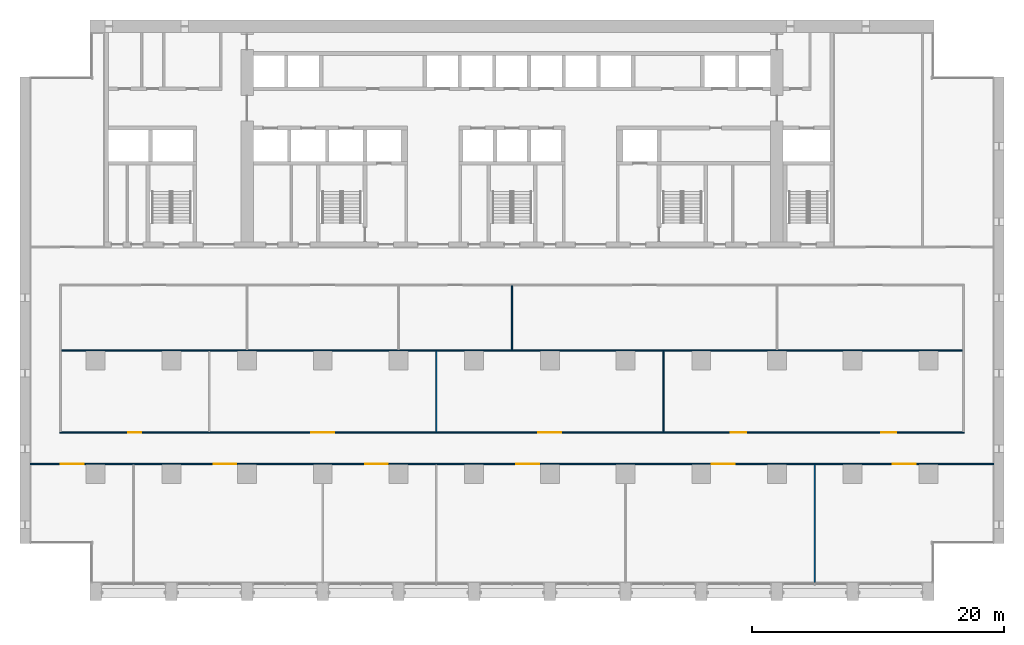
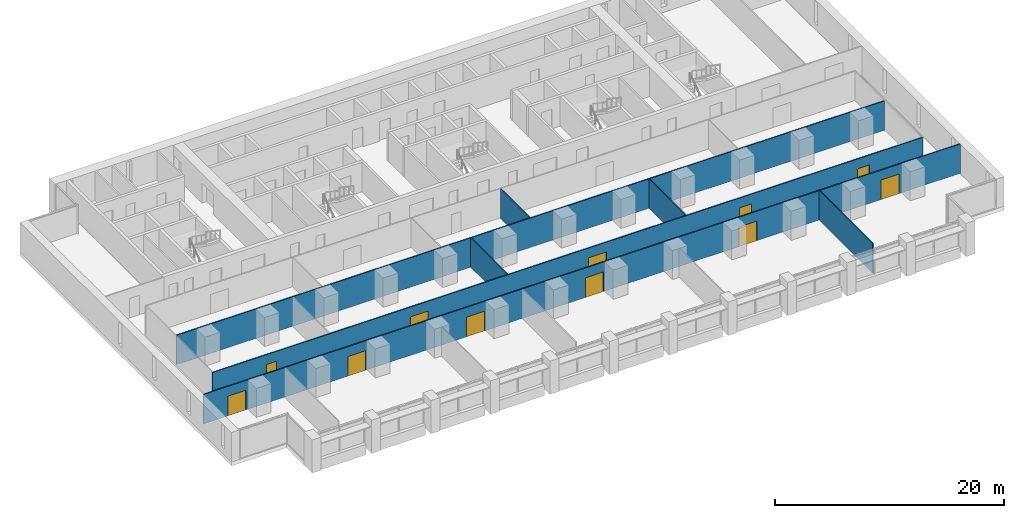
# One storey, part 9 of 18: 11 doors, 7 walls, 11 openings.
"""IFC4 building model written with IfcOpenShell, lengths in metres."""

from ifc_helpers import new_model, si_unit, direction, frame, frame_2d, origin, place, context, subcontext, project, spatial, rectangle, extrude, material, layer, layer_set, type_object, element, fill, save


model = new_model("IFC4")

# Units and contexts
model_context = context("Model", 3, precision=1e-05, world=origin(), true_north=direction((0.0, 1.0)))
body_context = subcontext(model_context, "Body", "Model", "MODEL_VIEW")
ifc_project = project(units=[si_unit("LENGTHUNIT", "METRE"), si_unit("AREAUNIT", "SQUARE_METRE"), si_unit("VOLUMEUNIT", "CUBIC_METRE"), si_unit("PLANEANGLEUNIT", "RADIAN"), si_unit("MASSUNIT", "GRAM", prefix="KILO")], contexts=[model_context])

# Site, building, storey
site_placement = place(None, origin())
site = spatial("IfcSite", under=ifc_project, at=site_placement, CompositionType="ELEMENT")
building_placement = place(site_placement, origin())
building = spatial("IfcBuilding", under=site, at=building_placement, Name="Calvaro Tower", CompositionType="ELEMENT")
storey_placement = place(building_placement, frame((0.0, 0.0, 86.25)))
storey = spatial("IfcBuildingStorey", under=building, at=storey_placement, Name="L21", CompositionType="ELEMENT", Elevation=86.25)

# Wall, openings, doors
ifc_material_1 = material(Name="Plasterboard on steel studs", Category="steel")
ifc_layer_1 = layer(ifc_material_1, 0.10009765625)
ifc_layer_set_1 = layer_set([ifc_layer_1], Name="Plasterboard on steel studs")
wall_type_1 = type_object("IfcWallType", Name="Partition 100", PredefinedType="PARTITIONING", material=ifc_layer_set_1)
wall_1_placement = place(storey_placement, frame((0.800048828125, 10.800048828125, 0.0), z_axis=(0.0, 0.0, 1.0), x_axis=(1.0, 0.0, 0.0)))
wall_1 = element("IfcWall", 1, at=wall_1_placement, inside=storey, type_object=wall_type_1, Name="Partition T14.W001", PredefinedType="PARTITIONING", context=body_context, shape_type="SweptSolid", body=[
    extrude(rectangle(XDim=76.39990234375, YDim=0.10009765625, at=frame_2d((38.199951171875, 0.0))), origin(), (0.0, 0.0, 1.0), 3.14990234375),
])
opening_1_placement = place(wall_1_placement, frame((14.550048828125, 0.0, 0.0)))
opening_1 = element("IfcOpeningElement", 2, at=opening_1_placement, cuts=wall_1, Name="Opening T14.001", PredefinedType="OPENING", context=body_context, shape_type="SweptSolid", body=[
    extrude(rectangle(XDim=1.800048828125, YDim=2.10009765625, at=frame_2d((0.89990234375, 1.050048828125))), frame((0.0, 0.06005859375, 0.0), z_axis=(0.0, -1.0, 0.0), x_axis=(1.0, 0.0, 0.0)), (0.0, 0.0, 1.0), 0.1201171875),
])
opening_2_placement = place(wall_1_placement, frame((26.550048828125, 0.0, 0.0)))
opening_2 = element("IfcOpeningElement", 3, at=opening_2_placement, cuts=wall_1, Name="Opening T14.002", PredefinedType="OPENING", context=body_context, shape_type="SweptSolid", body=[
    extrude(rectangle(XDim=1.800048828125, YDim=2.10009765625, at=frame_2d((0.89990234375, 1.050048828125))), frame((0.0, 0.06005859375, 0.0), z_axis=(0.0, -1.0, 0.0), x_axis=(1.0, 0.0, 0.0)), (0.0, 0.0, 1.0), 0.1201171875),
])
opening_3_placement = place(wall_1_placement, frame((38.550048828125, 0.0, 0.0)))
opening_3 = element("IfcOpeningElement", 4, at=opening_3_placement, cuts=wall_1, Name="Opening T14.003", PredefinedType="OPENING", context=body_context, shape_type="SweptSolid", body=[
    extrude(rectangle(XDim=1.800048828125, YDim=2.10009765625, at=frame_2d((0.89990234375, 1.050048828125))), frame((0.0, 0.06005859375, 0.0), z_axis=(0.0, -1.0, 0.0), x_axis=(1.0, 0.0, 0.0)), (0.0, 0.0, 1.0), 0.1201171875),
])
opening_4_placement = place(wall_1_placement, frame((54.050048828125, 0.0, 0.0)))
opening_4 = element("IfcOpeningElement", 5, at=opening_4_placement, cuts=wall_1, Name="Opening T14.004", PredefinedType="OPENING", context=body_context, shape_type="SweptSolid", body=[
    extrude(rectangle(XDim=1.800048828125, YDim=2.10009765625, at=frame_2d((0.89990234375, 1.050048828125))), frame((0.0, 0.06005859375, 0.0), z_axis=(0.0, -1.0, 0.0), x_axis=(1.0, 0.0, 0.0)), (0.0, 0.0, 1.0), 0.1201171875),
])
opening_5_placement = place(wall_1_placement, frame((68.39990234375, 0.0, 0.0)))
opening_5 = element("IfcOpeningElement", 6, at=opening_5_placement, cuts=wall_1, Name="Opening T14.005", PredefinedType="OPENING", context=body_context, shape_type="SweptSolid", body=[
    extrude(rectangle(XDim=1.800048828125, YDim=2.10009765625, at=frame_2d((0.89990234375, 1.050048828125))), frame((0.0, 0.06005859375, 0.0), z_axis=(0.0, -1.0, 0.0), x_axis=(1.0, 0.0, 0.0)), (0.0, 0.0, 1.0), 0.1201171875),
])
opening_6_placement = place(wall_1_placement, frame((2.449951171875, 0.0, 0.0)))
opening_6 = element("IfcOpeningElement", 7, at=opening_6_placement, cuts=wall_1, Name="Opening T14.006", PredefinedType="OPENING", context=body_context, shape_type="SweptSolid", body=[
    extrude(rectangle(XDim=1.800048828125, YDim=2.10009765625, at=frame_2d((0.89990234375, 1.050048828125))), frame((0.0, 0.06005859375, 0.0), z_axis=(0.0, -1.0, 0.0), x_axis=(1.0, 0.0, 0.0)), (0.0, 0.0, 1.0), 0.1201171875),
])
ifc_material_2 = material(Name="Timber", Category="wood")
door_type_1 = type_object("IfcDoorType", Name="Internal double door 1800 x 2100", OperationType="DOUBLE_DOOR_SINGLE_SWING", PredefinedType="DOOR", material=ifc_material_2)
door_1_placement = place(opening_1_placement, origin())
door_1 = element("IfcDoor", 8, at=door_1_placement, inside=storey, type_object=door_type_1, Name="Door T14.001", OperationType="DOUBLE_DOOR_SINGLE_SWING", OverallHeight=2.10009765625, OverallWidth=1.800048828125, PredefinedType="DOOR", context=body_context, shape_type="SweptSolid", body=[
    extrude(rectangle(XDim=1.800048828125, YDim=2.10009765625, at=frame_2d((0.89990234375, 1.050048828125))), frame((0.0, 0.02490234375, 0.0), z_axis=(0.0, -1.0, 0.0), x_axis=(1.0, 0.0, 0.0)), (0.0, 0.0, 1.0), 0.050048828125),
])
fill(opening_1, door_1)
door_2_placement = place(opening_2_placement, origin())
door_2 = element("IfcDoor", 9, at=door_2_placement, inside=storey, type_object=door_type_1, Name="Door T14.002", OperationType="DOUBLE_DOOR_SINGLE_SWING", OverallHeight=2.10009765625, OverallWidth=1.800048828125, PredefinedType="DOOR", context=body_context, shape_type="SweptSolid", body=[
    extrude(rectangle(XDim=1.800048828125, YDim=2.10009765625, at=frame_2d((0.89990234375, 1.050048828125))), frame((0.0, 0.02490234375, 0.0), z_axis=(0.0, -1.0, 0.0), x_axis=(1.0, 0.0, 0.0)), (0.0, 0.0, 1.0), 0.050048828125),
])
fill(opening_2, door_2)
door_3_placement = place(opening_3_placement, origin())
door_3 = element("IfcDoor", 10, at=door_3_placement, inside=storey, type_object=door_type_1, Name="Door T14.003", OperationType="DOUBLE_DOOR_SINGLE_SWING", OverallHeight=2.10009765625, OverallWidth=1.800048828125, PredefinedType="DOOR", context=body_context, shape_type="SweptSolid", body=[
    extrude(rectangle(XDim=1.800048828125, YDim=2.10009765625, at=frame_2d((0.89990234375, 1.050048828125))), frame((0.0, 0.02490234375, 0.0), z_axis=(0.0, -1.0, 0.0), x_axis=(1.0, 0.0, 0.0)), (0.0, 0.0, 1.0), 0.050048828125),
])
fill(opening_3, door_3)
door_4_placement = place(opening_4_placement, origin())
door_4 = element("IfcDoor", 11, at=door_4_placement, inside=storey, type_object=door_type_1, Name="Door T14.004", OperationType="DOUBLE_DOOR_SINGLE_SWING", OverallHeight=2.10009765625, OverallWidth=1.800048828125, PredefinedType="DOOR", context=body_context, shape_type="SweptSolid", body=[
    extrude(rectangle(XDim=1.800048828125, YDim=2.10009765625, at=frame_2d((0.89990234375, 1.050048828125))), frame((0.0, 0.02490234375, 0.0), z_axis=(0.0, -1.0, 0.0), x_axis=(1.0, 0.0, 0.0)), (0.0, 0.0, 1.0), 0.050048828125),
])
fill(opening_4, door_4)
door_5_placement = place(opening_5_placement, origin())
door_5 = element("IfcDoor", 12, at=door_5_placement, inside=storey, type_object=door_type_1, Name="Door T14.005", OperationType="DOUBLE_DOOR_SINGLE_SWING", OverallHeight=2.10009765625, OverallWidth=1.800048828125, PredefinedType="DOOR", context=body_context, shape_type="SweptSolid", body=[
    extrude(rectangle(XDim=1.800048828125, YDim=2.10009765625, at=frame_2d((0.89990234375, 1.050048828125))), frame((0.0, 0.02490234375, 0.0), z_axis=(0.0, -1.0, 0.0), x_axis=(1.0, 0.0, 0.0)), (0.0, 0.0, 1.0), 0.050048828125),
])
fill(opening_5, door_5)
door_6_placement = place(opening_6_placement, origin())
door_6 = element("IfcDoor", 13, at=door_6_placement, inside=storey, type_object=door_type_1, Name="Door T14.006", OperationType="DOUBLE_DOOR_SINGLE_SWING", OverallHeight=2.10009765625, OverallWidth=1.800048828125, PredefinedType="DOOR", context=body_context, shape_type="SweptSolid", body=[
    extrude(rectangle(XDim=1.800048828125, YDim=2.10009765625, at=frame_2d((0.89990234375, 1.050048828125))), frame((0.0, 0.02490234375, 0.0), z_axis=(0.0, -1.0, 0.0), x_axis=(1.0, 0.0, 0.0)), (0.0, 0.0, 1.0), 0.050048828125),
])
fill(opening_6, door_6)

# Walls
wall_2_placement = place(storey_placement, frame((3.25, 19.800048828125, 0.0), z_axis=(0.0, 0.0, 1.0), x_axis=(1.0, 0.0, 0.0)))
element("IfcWall", 14, at=wall_2_placement, inside=storey, type_object=wall_type_1, Name="Partition T14.W003", PredefinedType="PARTITIONING", context=body_context, shape_type="SweptSolid", body=[
    extrude(rectangle(XDim=71.5, YDim=0.10009765625, at=frame_2d((35.75, 0.0))), origin(), (0.0, 0.0, 1.0), 3.14990234375),
])
wall_3_placement = place(storey_placement, frame((33.0, 13.35009765625, 0.0), z_axis=(0.0, 0.0, 1.0), x_axis=(0.0, 1.0, 0.0)))
element("IfcWall", 15, at=wall_3_placement, inside=storey, type_object=wall_type_1, Name="Partition T14.W014", PredefinedType="PARTITIONING", context=body_context, shape_type="SweptSolid", body=[
    extrude(rectangle(XDim=6.39990234375, YDim=0.10009765625, at=frame_2d((3.199951171875, 0.0))), origin(), (0.0, 0.0, 1.0), 3.14990234375),
])
wall_4_placement = place(storey_placement, frame((39.0, 19.85009765625, 0.0), z_axis=(0.0, 0.0, 1.0), x_axis=(0.0, 1.0, 0.0)))
element("IfcWall", 16, at=wall_4_placement, inside=storey, type_object=wall_type_1, Name="Partition T14.W015", PredefinedType="PARTITIONING", context=body_context, shape_type="SweptSolid", body=[
    extrude(rectangle(XDim=5.099853515625, YDim=0.10009765625, at=frame_2d((2.5498046875, 0.0))), origin(), (0.0, 0.0, 1.0), 3.14990234375),
])
wall_5_placement = place(storey_placement, frame((51.0, 13.35009765625, 0.0), z_axis=(0.0, 0.0, 1.0), x_axis=(0.0, 1.0, 0.0)))
element("IfcWall", 17, at=wall_5_placement, inside=storey, type_object=wall_type_1, Name="Partition T14.W017", PredefinedType="PARTITIONING", context=body_context, shape_type="SweptSolid", body=[
    extrude(rectangle(XDim=6.39990234375, YDim=0.10009765625, at=frame_2d((3.199951171875, 0.0))), origin(), (0.0, 0.0, 1.0), 3.14990234375),
])
wall_6_placement = place(storey_placement, frame((63.0, 1.39990234375, 0.0), z_axis=(0.0, 0.0, 1.0), x_axis=(0.0, 1.0, 0.0)))
element("IfcWall", 18, at=wall_6_placement, inside=storey, type_object=wall_type_1, Name="Partition T14.W019", PredefinedType="PARTITIONING", context=body_context, shape_type="SweptSolid", body=[
    extrude(rectangle(XDim=9.35009765625, YDim=0.10009765625, at=frame_2d((4.675048828125, 0.0))), origin(), (0.0, 0.0, 1.0), 3.14990234375),
])

# Wall, openings, doors
ifc_material_3 = material(Name="Plasterboard on steel studs", Category="steel")
ifc_layer_2 = layer(ifc_material_3, 0.10009765625)
ifc_layer_set_2 = layer_set([ifc_layer_2], Name="Plasterboard on steel studs")
wall_type_2 = type_object("IfcWallType", Name="Partition 100 REI 120", PredefinedType="PARTITIONING", material=ifc_layer_set_2)
wall_7_placement = place(storey_placement, frame((3.14990234375, 13.300048828125, 0.0), z_axis=(0.0, 0.0, 1.0), x_axis=(1.0, 0.0, 0.0)))
wall_7 = element("IfcWall", 19, at=wall_7_placement, inside=storey, type_object=wall_type_2, Name="Partition T14.W002", PredefinedType="PARTITIONING", context=body_context, shape_type="SweptSolid", body=[
    extrude(rectangle(XDim=71.7001953125, YDim=0.10009765625, at=frame_2d((35.85009765625, 0.0))), origin(), (0.0, 0.0, 1.0), 3.14990234375),
])
opening_7_placement = place(wall_7_placement, frame((5.449951171875, 0.0, 0.0)))
opening_7 = element("IfcOpeningElement", 20, at=opening_7_placement, cuts=wall_7, Name="Opening T14.007", PredefinedType="OPENING", context=body_context, shape_type="SweptSolid", body=[
    extrude(rectangle(XDim=1.0, YDim=2.10009765625, at=frame_2d((0.5, 1.050048828125))), frame((0.0, 0.06005859375, 0.0), z_axis=(0.0, -1.0, 0.0), x_axis=(1.0, 0.0, 0.0)), (0.0, 0.0, 1.0), 0.1201171875),
])
opening_8_placement = place(wall_7_placement, frame((19.949951171875, 0.0, 0.0)))
opening_8 = element("IfcOpeningElement", 21, at=opening_8_placement, cuts=wall_7, Name="Opening T14.008", PredefinedType="OPENING", context=body_context, shape_type="SweptSolid", body=[
    extrude(rectangle(XDim=1.800048828125, YDim=2.10009765625, at=frame_2d((0.89990234375, 1.050048828125))), frame((0.0, 0.06005859375, 0.0), z_axis=(0.0, -1.0, 0.0), x_axis=(1.0, 0.0, 0.0)), (0.0, 0.0, 1.0), 0.1201171875),
])
opening_9_placement = place(wall_7_placement, frame((37.949951171875, 0.0, 0.0)))
opening_9 = element("IfcOpeningElement", 22, at=opening_9_placement, cuts=wall_7, Name="Opening T14.009", PredefinedType="OPENING", context=body_context, shape_type="SweptSolid", body=[
    extrude(rectangle(XDim=1.800048828125, YDim=2.10009765625, at=frame_2d((0.89990234375, 1.050048828125))), frame((0.0, 0.06005859375, 0.0), z_axis=(0.0, -1.0, 0.0), x_axis=(1.0, 0.0, 0.0)), (0.0, 0.0, 1.0), 0.1201171875),
])
opening_10_placement = place(wall_7_placement, frame((53.199951171875, 0.0, 0.0)))
opening_10 = element("IfcOpeningElement", 23, at=opening_10_placement, cuts=wall_7, Name="Opening T14.010", PredefinedType="OPENING", context=body_context, shape_type="SweptSolid", body=[
    extrude(rectangle(XDim=1.199951171875, YDim=2.10009765625, at=frame_2d((0.60009765625, 1.050048828125))), frame((0.0, 0.06005859375, 0.0), z_axis=(0.0, -1.0, 0.0), x_axis=(1.0, 0.0, 0.0)), (0.0, 0.0, 1.0), 0.1201171875),
])
opening_11_placement = place(wall_7_placement, frame((65.10009765625, 0.0, 0.0)))
opening_11 = element("IfcOpeningElement", 24, at=opening_11_placement, cuts=wall_7, Name="Opening T14.011", PredefinedType="OPENING", context=body_context, shape_type="SweptSolid", body=[
    extrude(rectangle(XDim=1.199951171875, YDim=2.10009765625, at=frame_2d((0.60009765625, 1.050048828125))), frame((0.0, 0.06005859375, 0.0), z_axis=(0.0, -1.0, 0.0), x_axis=(1.0, 0.0, 0.0)), (0.0, 0.0, 1.0), 0.1201171875),
])
door_7_placement = place(opening_8_placement, origin())
door_7 = element("IfcDoor", 25, at=door_7_placement, inside=storey, type_object=door_type_1, Name="Door T14.008", OperationType="DOUBLE_DOOR_SINGLE_SWING", OverallHeight=2.10009765625, OverallWidth=1.800048828125, PredefinedType="DOOR", context=body_context, shape_type="SweptSolid", body=[
    extrude(rectangle(XDim=1.800048828125, YDim=2.10009765625, at=frame_2d((0.89990234375, 1.050048828125))), frame((0.0, 0.02490234375, 0.0), z_axis=(0.0, -1.0, 0.0), x_axis=(1.0, 0.0, 0.0)), (0.0, 0.0, 1.0), 0.050048828125),
])
fill(opening_8, door_7)
door_8_placement = place(opening_9_placement, origin())
door_8 = element("IfcDoor", 26, at=door_8_placement, inside=storey, type_object=door_type_1, Name="Door T14.009", OperationType="DOUBLE_DOOR_SINGLE_SWING", OverallHeight=2.10009765625, OverallWidth=1.800048828125, PredefinedType="DOOR", context=body_context, shape_type="SweptSolid", body=[
    extrude(rectangle(XDim=1.800048828125, YDim=2.10009765625, at=frame_2d((0.89990234375, 1.050048828125))), frame((0.0, 0.02490234375, 0.0), z_axis=(0.0, -1.0, 0.0), x_axis=(1.0, 0.0, 0.0)), (0.0, 0.0, 1.0), 0.050048828125),
])
fill(opening_9, door_8)
ifc_material_4 = material(Name="Timber", Category="wood")
door_type_2 = type_object("IfcDoorType", Name="Internal single door 1000 x 2100 FD60", OperationType="SINGLE_SWING_LEFT", PredefinedType="DOOR", material=ifc_material_4)
door_9_placement = place(opening_7_placement, origin())
door_9 = element("IfcDoor", 27, at=door_9_placement, inside=storey, type_object=door_type_2, Name="Door T14.007", OperationType="SINGLE_SWING_LEFT", OverallHeight=2.10009765625, OverallWidth=1.0, PredefinedType="DOOR", context=body_context, shape_type="SweptSolid", body=[
    extrude(rectangle(XDim=1.0, YDim=2.10009765625, at=frame_2d((0.5, 1.050048828125))), frame((0.0, 0.02490234375, 0.0), z_axis=(0.0, -1.0, 0.0), x_axis=(1.0, 0.0, 0.0)), (0.0, 0.0, 1.0), 0.050048828125),
])
fill(opening_7, door_9)
ifc_material_5 = material(Name="Timber", Category="wood")
door_type_3 = type_object("IfcDoorType", Name="Internal single door 1200 x 2100", OperationType="SINGLE_SWING_LEFT", PredefinedType="DOOR", material=ifc_material_5)
door_10_placement = place(opening_10_placement, origin())
door_10 = element("IfcDoor", 28, at=door_10_placement, inside=storey, type_object=door_type_3, Name="Door T14.010", OperationType="SINGLE_SWING_RIGHT", OverallHeight=2.10009765625, OverallWidth=1.199951171875, PredefinedType="DOOR", context=body_context, shape_type="SweptSolid", body=[
    extrude(rectangle(XDim=1.199951171875, YDim=2.10009765625, at=frame_2d((0.60009765625, 1.050048828125))), frame((0.0, 0.02490234375, 0.0), z_axis=(0.0, -1.0, 0.0), x_axis=(1.0, 0.0, 0.0)), (0.0, 0.0, 1.0), 0.050048828125),
])
fill(opening_10, door_10)
door_11_placement = place(opening_11_placement, origin())
door_11 = element("IfcDoor", 29, at=door_11_placement, inside=storey, type_object=door_type_3, Name="Door T14.011", OperationType="SINGLE_SWING_RIGHT", OverallHeight=2.10009765625, OverallWidth=1.199951171875, PredefinedType="DOOR", context=body_context, shape_type="SweptSolid", body=[
    extrude(rectangle(XDim=1.199951171875, YDim=2.10009765625, at=frame_2d((0.60009765625, 1.050048828125))), frame((0.0, 0.02490234375, 0.0), z_axis=(0.0, -1.0, 0.0), x_axis=(1.0, 0.0, 0.0)), (0.0, 0.0, 1.0), 0.050048828125),
])
fill(opening_11, door_11)

save(model, "model.ifc")
